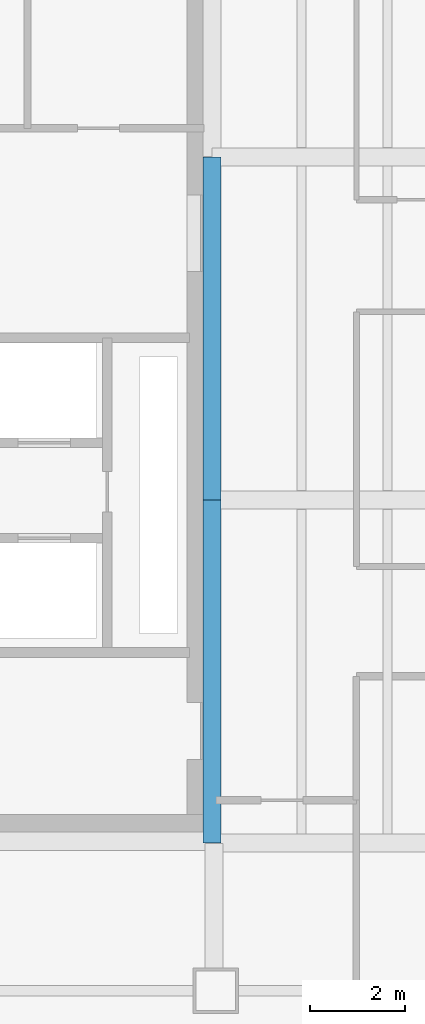
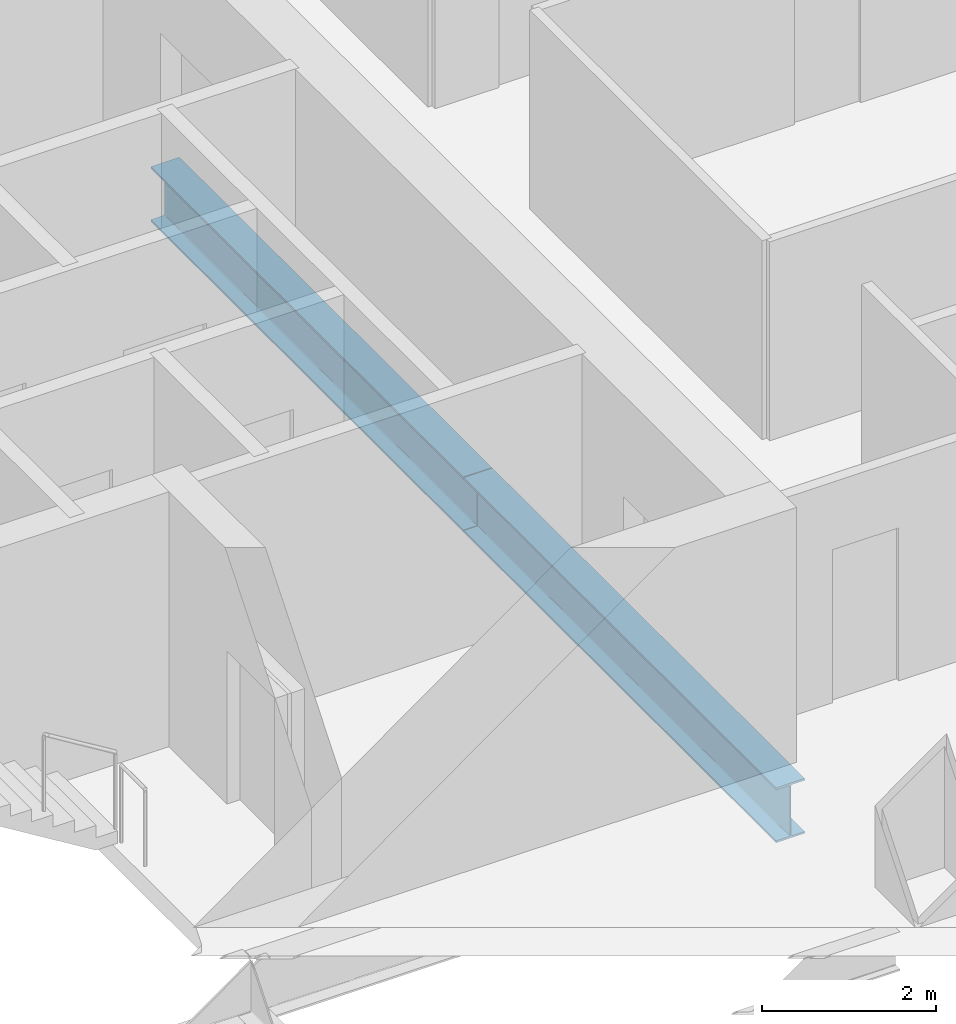
# One storey, part 3 of 24: 2 beams.
"""IFC4 building model written with IfcOpenShell, lengths in metres."""

from ifc_helpers import new_model, si_unit, direction, frame, origin, origin_2d, place, context, subcontext, project, spatial, i_section, extrude, material, material_profile, profile_set, type_object, element, save


model = new_model("IFC4")

# Units and contexts
model_context = context("Model", 3, precision=1e-05, world=origin(), true_north=direction((0.0, 1.0)))
body_context = subcontext(model_context, "Body", "Model", "MODEL_VIEW")
ifc_project = project(units=[si_unit("LENGTHUNIT", "METRE"), si_unit("AREAUNIT", "SQUARE_METRE"), si_unit("VOLUMEUNIT", "CUBIC_METRE"), si_unit("PLANEANGLEUNIT", "RADIAN"), si_unit("MASSUNIT", "GRAM", prefix="KILO")], contexts=[model_context])

# Site, building, storey
site_placement = place(None, origin())
site = spatial("IfcSite", under=ifc_project, at=site_placement, CompositionType="ELEMENT")
building_placement = place(site_placement, origin())
building = spatial("IfcBuilding", under=site, at=building_placement, Name="Cobrela Telecom Tower", CompositionType="ELEMENT")
storey_placement = place(building_placement, frame((0.0, 0.0, 106.050048828125)))
storey = spatial("IfcBuildingStorey", under=building, at=storey_placement, Name="L26", CompositionType="ELEMENT", Elevation=106.050048828125)

# Beams
ifc_material = material(Name="Steel ASTM A992 Grade 50", Category="steel")
ifc_material_profile = material_profile(ifc_material, i_section(OverallWidth=0.381103515625, OverallDepth=0.77197265625, WebThickness=0.0166015625, FlangeThickness=0.027099609375, FilletRadius=0.01904296875, at=origin_2d()), Name="W30X173")
ifc_profile_set = profile_set([ifc_material_profile], Name="Steel ASTM A992 Grade 50")
beam_type = type_object("IfcBeamType", Name="BM-GIRD-04", PredefinedType="USERDEFINED", material=ifc_profile_set)
for number, where, z_axis, x_axis, name in (
    (1, (14.320068359375, 7.205078125, -0.656005859375), (0.0, 1.0, 0.0), (-1.0, 0.0, 0.0), "L26 Primary Girder Y34"),
    (2, (14.320068359375, 14.405029296875, -0.656005859375), (0.0, 1.0, 0.0), (-1.0, 0.0, 0.0), "L26 Primary Girder Y35"),
):
    element("IfcBeam", number, at=place(storey_placement, frame(where, z_axis=z_axis, x_axis=x_axis)), inside=storey, type_object=beam_type, Name=name, ObjectType="GIRDER", PredefinedType="USERDEFINED", context=body_context, shape_type="SweptSolid", body=[
        extrude(i_section(OverallWidth=0.381103515625, OverallDepth=0.77197265625, WebThickness=0.0166015625, FlangeThickness=0.027099609375, FilletRadius=0.01904296875, at=origin_2d()), origin(), (0.0, 0.0, 1.0), 7.18994140625),
    ])

save(model, "model.ifc")
